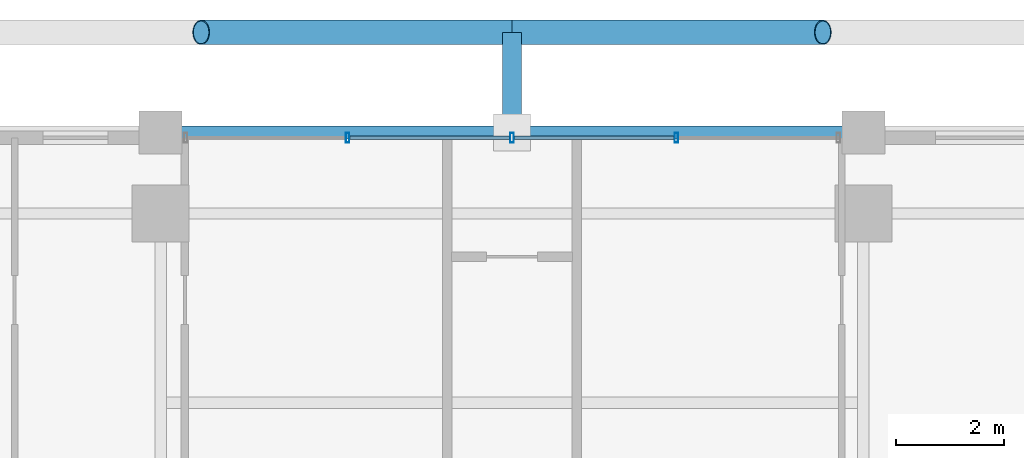
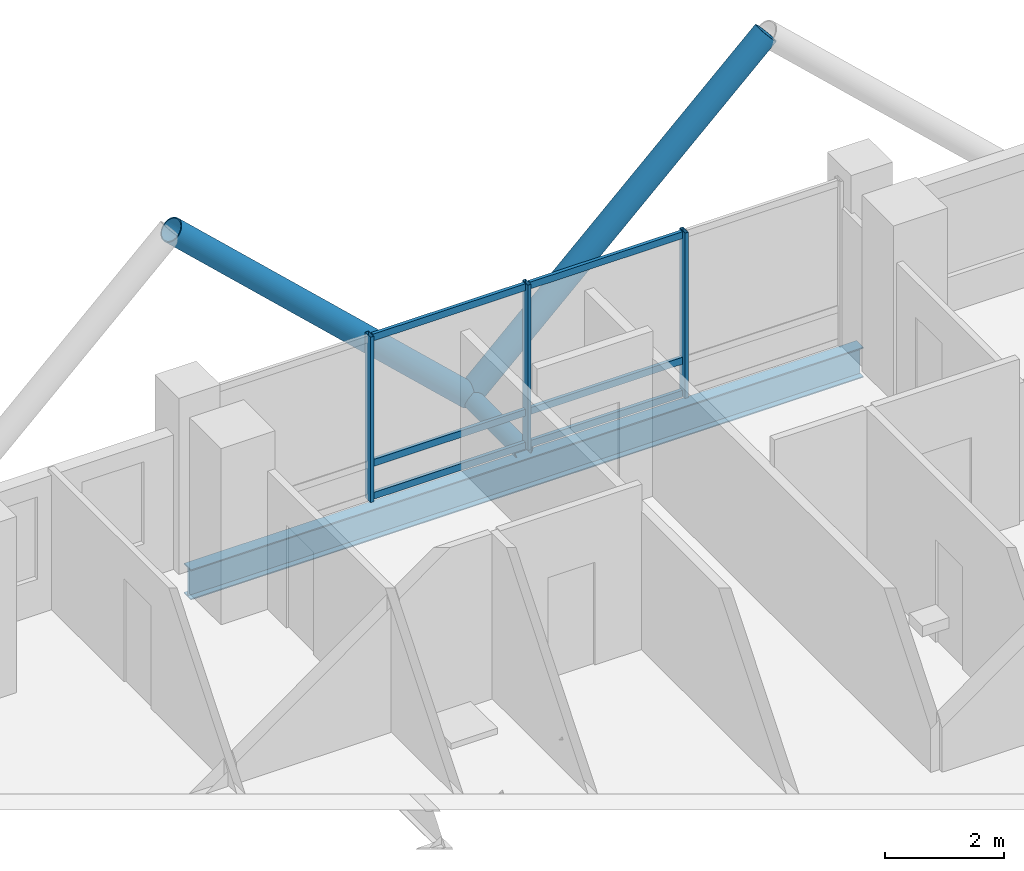
# One storey, part 17 of 26: 12 members, 1 beam, 1 element without a shape of its own.
"""IFC4 building model written with IfcOpenShell, lengths in metres."""

from ifc_helpers import new_model, si_unit, direction, frame, origin, origin_2d, place, context, subcontext, project, spatial, hollow_rectangle, hollow_circle, i_section, extrude, material, layer, layer_set, material_profile, profile_set, type_object, element, aggregate, save


model = new_model("IFC4")

# Units and contexts
model_context = context("Model", 3, precision=1e-05, world=origin(), true_north=direction((0.0, 1.0)))
body_context = subcontext(model_context, "Body", "Model", "MODEL_VIEW")
ifc_project = project(units=[si_unit("LENGTHUNIT", "METRE"), si_unit("AREAUNIT", "SQUARE_METRE"), si_unit("VOLUMEUNIT", "CUBIC_METRE"), si_unit("PLANEANGLEUNIT", "RADIAN"), si_unit("MASSUNIT", "GRAM", prefix="KILO")], contexts=[model_context])

# Site, building, storey
site_placement = place(None, origin())
site = spatial("IfcSite", under=ifc_project, at=site_placement, CompositionType="ELEMENT")
building_placement = place(site_placement, origin())
building = spatial("IfcBuilding", under=site, at=building_placement, Name="Barlavira Tower and Art Museum", CompositionType="ELEMENT")
storey_placement = place(building_placement, frame((0.0, 0.0, 198.0)))
storey = spatial("IfcBuildingStorey", under=building, at=storey_placement, Name="L51", CompositionType="ELEMENT", Elevation=198.0)

# Curtain wall, members
ifc_material_1 = material(Name="Low-iron coastal laminated glass", Category="glass")
ifc_layer = layer(ifc_material_1, 0.199951171875, Name="Low-iron coastal laminated glass")
ifc_layer_set = layer_set([ifc_layer], Name="Low-iron coastal laminated glass")
curtain_wall_type = type_object("IfcCurtainWallType", Name="Pale-Metal Unitised Curtain Wall Zone 3", PredefinedType="NOTDEFINED", material=ifc_layer_set)
curtain_wall_placement = place(storey_placement, origin())
curtain_wall = element("IfcCurtainWall", 1, at=curtain_wall_placement, inside=storey, type_object=curtain_wall_type, Name="L51 Curtain Wall CW3-L51-N-B3", PredefinedType="NOTDEFINED")
ifc_material_2 = material(Name="Pale anodised aluminium", Category="aluminium")
ifc_material_profile_1 = material_profile(ifc_material_2, hollow_rectangle(XDim=0.06494140625, YDim=0.179931640625, WallThickness=0.00390625, at=origin_2d()), Name="ALU-MULL 65x180x4")
ifc_profile_set_1 = profile_set([ifc_material_profile_1], Name="Pale anodised aluminium")
member_type_1 = type_object("IfcMemberType", Name="Curtain Wall Pale-Metal Mullion 65x180", PredefinedType="MULLION", material=ifc_profile_set_1)
member_1_placement = place(storey_placement, frame((3.0400390625, 21.39990234375, 0.0), z_axis=(0.0, 0.0, 1.0), x_axis=(-1.0, 0.0, 0.0)))
member_1 = element("IfcMember", 2, at=member_1_placement, type_object=member_type_1, Name="CW3-L51-N-B3 Mullion 1", PredefinedType="MULLION", context=body_context, shape_type="SweptSolid", body=[
    extrude(hollow_rectangle(XDim=0.06494140625, YDim=0.179931640625, WallThickness=0.00390625, at=origin_2d()), origin(), (0.0, 0.0, 1.0), 3.3798828125),
])
member_2_placement = place(storey_placement, frame((0.0, 21.39990234375, 0.0), z_axis=(0.0, 0.0, 1.0), x_axis=(-1.0, 0.0, 0.0)))
member_2 = element("IfcMember", 3, at=member_2_placement, type_object=member_type_1, Name="CW3-L51-N-B3 Mullion 2", PredefinedType="MULLION", context=body_context, shape_type="SweptSolid", body=[
    extrude(hollow_rectangle(XDim=0.06494140625, YDim=0.179931640625, WallThickness=0.00390625, at=origin_2d()), origin(), (0.0, 0.0, 1.0), 3.3798828125),
])
member_3_placement = place(storey_placement, frame((-3.0400390625, 21.39990234375, 0.0), z_axis=(0.0, 0.0, 1.0), x_axis=(-1.0, 0.0, 0.0)))
member_3 = element("IfcMember", 4, at=member_3_placement, type_object=member_type_1, Name="CW3-L51-N-B3 Mullion 3", PredefinedType="MULLION", context=body_context, shape_type="SweptSolid", body=[
    extrude(hollow_rectangle(XDim=0.06494140625, YDim=0.179931640625, WallThickness=0.00390625, at=origin_2d()), origin(), (0.0, 0.0, 1.0), 3.3798828125),
])
ifc_material_profile_2 = material_profile(ifc_material_2, hollow_rectangle(XDim=0.06494140625, YDim=0.139892578125, WallThickness=0.00390625, at=origin_2d()), Name="ALU-TRAN 65x140x4")
ifc_profile_set_2 = profile_set([ifc_material_profile_2], Name="Pale anodised aluminium")
member_type_2 = type_object("IfcMemberType", Name="Curtain Wall Pale-Metal Transom 65x140", PredefinedType="USERDEFINED", material=ifc_profile_set_2)
member_4_placement = place(storey_placement, frame((2.9951171875, 21.39990234375, 0.070068359375), z_axis=(-1.0, 0.0, 0.0), x_axis=(0.0, -1.0, 0.0)))
member_4 = element("IfcMember", 5, at=member_4_placement, type_object=member_type_2, Name="CW3-L51-N-B3 Transom 1.1", ObjectType="TRANSOM", PredefinedType="USERDEFINED", context=body_context, shape_type="SweptSolid", body=[
    extrude(hollow_rectangle(XDim=0.06494140625, YDim=0.139892578125, WallThickness=0.00390625, at=origin_2d()), origin(), (0.0, 0.0, 1.0), 2.9501953125),
])
member_5_placement = place(storey_placement, frame((2.9951171875, 21.39990234375, 0.743896484375), z_axis=(-1.0, 0.0, 0.0), x_axis=(0.0, -1.0, 0.0)))
member_5 = element("IfcMember", 6, at=member_5_placement, type_object=member_type_2, Name="CW3-L51-N-B3 Transom 1.2", ObjectType="TRANSOM", PredefinedType="USERDEFINED", context=body_context, shape_type="SweptSolid", body=[
    extrude(hollow_rectangle(XDim=0.06494140625, YDim=0.139892578125, WallThickness=0.00390625, at=origin_2d()), origin(), (0.0, 0.0, 1.0), 2.9501953125),
])
member_6_placement = place(storey_placement, frame((2.9951171875, 21.39990234375, 3.31005859375), z_axis=(-1.0, 0.0, 0.0), x_axis=(0.0, -1.0, 0.0)))
member_6 = element("IfcMember", 7, at=member_6_placement, type_object=member_type_2, Name="CW3-L51-N-B3 Transom 1.3", ObjectType="TRANSOM", PredefinedType="USERDEFINED", context=body_context, shape_type="SweptSolid", body=[
    extrude(hollow_rectangle(XDim=0.06494140625, YDim=0.139892578125, WallThickness=0.00390625, at=origin_2d()), origin(), (0.0, 0.0, 1.0), 2.9501953125),
])
member_7_placement = place(storey_placement, frame((-0.044921875, 21.39990234375, 0.070068359375), z_axis=(-1.0, 0.0, 0.0), x_axis=(0.0, -1.0, 0.0)))
member_7 = element("IfcMember", 8, at=member_7_placement, type_object=member_type_2, Name="CW3-L51-N-B3 Transom 2.1", ObjectType="TRANSOM", PredefinedType="USERDEFINED", context=body_context, shape_type="SweptSolid", body=[
    extrude(hollow_rectangle(XDim=0.06494140625, YDim=0.139892578125, WallThickness=0.00390625, at=origin_2d()), origin(), (0.0, 0.0, 1.0), 2.9501953125),
])
member_8_placement = place(storey_placement, frame((-0.044921875, 21.39990234375, 0.743896484375), z_axis=(-1.0, 0.0, 0.0), x_axis=(0.0, -1.0, 0.0)))
member_8 = element("IfcMember", 9, at=member_8_placement, type_object=member_type_2, Name="CW3-L51-N-B3 Transom 2.2", ObjectType="TRANSOM", PredefinedType="USERDEFINED", context=body_context, shape_type="SweptSolid", body=[
    extrude(hollow_rectangle(XDim=0.06494140625, YDim=0.139892578125, WallThickness=0.00390625, at=origin_2d()), origin(), (0.0, 0.0, 1.0), 2.9501953125),
])
member_9_placement = place(storey_placement, frame((-0.044921875, 21.39990234375, 3.31005859375), z_axis=(-1.0, 0.0, 0.0), x_axis=(0.0, -1.0, 0.0)))
member_9 = element("IfcMember", 10, at=member_9_placement, type_object=member_type_2, Name="CW3-L51-N-B3 Transom 2.3", ObjectType="TRANSOM", PredefinedType="USERDEFINED", context=body_context, shape_type="SweptSolid", body=[
    extrude(hollow_rectangle(XDim=0.06494140625, YDim=0.139892578125, WallThickness=0.00390625, at=origin_2d()), origin(), (0.0, 0.0, 1.0), 2.9501953125),
])
aggregate(curtain_wall, [member_1, member_2, member_3, member_4, member_5, member_6, member_7, member_8, member_9])

# Members
ifc_material_3 = material(Name="Steel S355", Category="steel")
ifc_material_profile_3 = material_profile(ifc_material_3, hollow_circle(Radius=0.228515625, WallThickness=0.02001953125, at=origin_2d()), Name="CHS 457.0x20.0")
ifc_profile_set_3 = profile_set([ifc_material_profile_3], Name="Steel S355")
member_type_3 = type_object("IfcMemberType", Name="Pale-Metal Exoskeleton Diagrid Tube CHS 457x20 Steel S355", PredefinedType="BRACE", material=ifc_profile_set_3)
for number, where, z_axis, x_axis, name in (
    (11, (0.0, 23.35009765625, -0.1201171875), (-0.728934650808, 0.0, 0.684583285548), (0.0, -1.0, 0.0), "L51 Exoskeleton Diagrid Tube N"),
    (12, (0.0, 23.35009765625, -0.1201171875), (0.728934650808, 0.0, 0.684583285548), (0.0, 1.0, 0.0), "L51 Exoskeleton Diagrid Tube N"),
):
    element("IfcMember", number, at=place(storey_placement, frame(where, z_axis=z_axis, x_axis=x_axis)), inside=storey, type_object=member_type_3, Name=name, PredefinedType="BRACE", context=body_context, shape_type="SweptSolid", body=[
        extrude(hollow_circle(Radius=0.228515625, WallThickness=0.02001953125, at=origin_2d()), origin(), (0.0, 0.0, 1.0), 7.88818359375),
    ])
ifc_material_profile_4 = material_profile(ifc_material_3, hollow_circle(Radius=0.177734375, WallThickness=0.01611328125, at=origin_2d()), Name="CHS 355.6x16.0")
ifc_profile_set_4 = profile_set([ifc_material_profile_4], Name="Steel S355")
member_type_4 = type_object("IfcMemberType", Name="Pale-Metal Exoskeleton Tie Strut CHS 356x16 Steel S355", PredefinedType="STRUT", material=ifc_profile_set_4)
member_10_placement = place(storey_placement, frame((0.0, 23.35009765625, -0.1201171875), z_axis=(0.0, -1.0, 0.0), x_axis=(1.0, 0.0, 0.0)))
element("IfcMember", 13, at=member_10_placement, inside=storey, type_object=member_type_4, Name="L51 Exoskeleton Tie Strut N2", PredefinedType="STRUT", context=body_context, shape_type="SweptSolid", body=[
    extrude(hollow_circle(Radius=0.177734375, WallThickness=0.01611328125, at=origin_2d()), origin(), (0.0, 0.0, 1.0), 1.85009765625),
])

# Beam
ifc_material_profile_5 = material_profile(ifc_material_3, i_section(OverallWidth=0.22998046875, OverallDepth=0.616943359375, WebThickness=0.01318359375, FlangeThickness=0.022216796875, at=origin_2d()), Name="W610x140.0")
ifc_profile_set_5 = profile_set([ifc_material_profile_5], Name="Steel S355")
beam_type = type_object("IfcBeamType", Name="Upper Shaft Spandrel Edge Beam W610x140 Steel S355", PredefinedType="SPANDREL", material=ifc_profile_set_5)
beam_placement = place(storey_placement, frame((-6.5, 21.5, -0.528564453125), z_axis=(1.0, 0.0, 0.0), x_axis=(0.0, 1.0, 0.0)))
element("IfcBeam", 14, at=beam_placement, inside=storey, type_object=beam_type, Name="L51 Spandrel 10", PredefinedType="SPANDREL", context=body_context, shape_type="SweptSolid", body=[
    extrude(i_section(OverallWidth=0.22998046875, OverallDepth=0.616943359375, WebThickness=0.01318359375, FlangeThickness=0.022216796875, at=origin_2d()), origin(), (0.0, 0.0, 1.0), 13.0),
])

save(model, "model.ifc")
